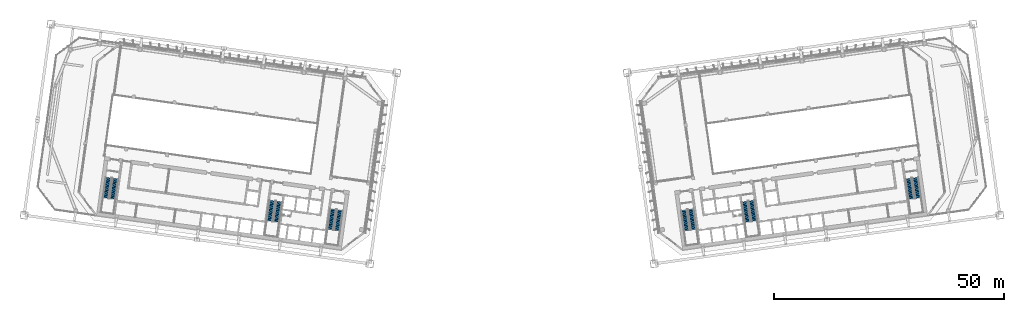
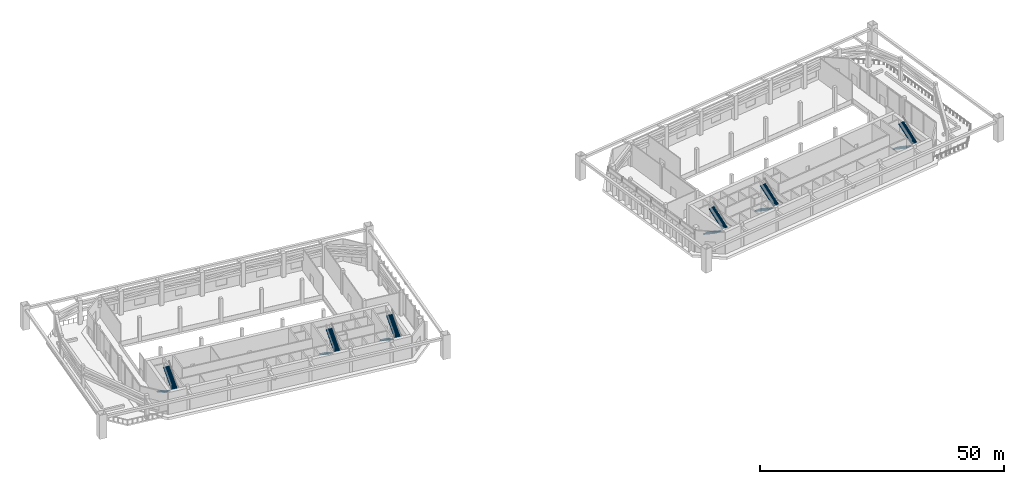
# One storey, part 26 of 41: 12 stair flights, 6 elements without a shape of their own.
"""IFC4 building model written with IfcOpenShell, lengths in metres."""

from ifc_helpers import new_model, si_unit, direction, frame, origin, place, context, subcontext, project, spatial, polyline, outline, extrude, material, type_object, element, aggregate, save


model = new_model("IFC4")

# Units and contexts
model_context = context("Model", 3, precision=1e-05, world=origin(), true_north=direction((0.0, 1.0)))
body_context = subcontext(model_context, "Body", "Model", "MODEL_VIEW")
ifc_project = project(units=[si_unit("LENGTHUNIT", "METRE"), si_unit("AREAUNIT", "SQUARE_METRE"), si_unit("VOLUMEUNIT", "CUBIC_METRE"), si_unit("PLANEANGLEUNIT", "RADIAN"), si_unit("MASSUNIT", "GRAM", prefix="KILO")], contexts=[model_context])

# Site, building, storey
site_placement = place(None, origin())
site = spatial("IfcSite", under=ifc_project, at=site_placement, CompositionType="ELEMENT")
building_placement = place(site_placement, origin())
building = spatial("IfcBuilding", under=site, at=building_placement, Name="Mirante Cascada Hotel Towers", CompositionType="ELEMENT")
storey_placement = place(building_placement, frame((0.0, 0.0, 92.7)))
storey = spatial("IfcBuildingStorey", under=building, at=storey_placement, Name="L20", CompositionType="ELEMENT", Elevation=92.7)

# Stair, stair flights
ifc_material_1 = material(Name="Concrete C35/45", Category="concrete")
stair_type = type_object("IfcStairType", Name="Exit stair half-turn 1350 concrete C35/45", PredefinedType="HALF_TURN_STAIR", material=ifc_material_1)
stair_1_placement = place(storey_placement, origin())
stair_1 = element("IfcStair", 1, at=stair_1_placement, inside=storey, type_object=stair_type, Name="L20 Exit stair A", PredefinedType="HALF_TURN_STAIR")
ifc_material_2 = material(Name="Concrete C35/45", Category="concrete")
stair_flight_type = type_object("IfcStairFlightType", Name="Exit stair flight 1350 concrete C35/45", PredefinedType="STRAIGHT", material=ifc_material_2)
stair_flight_1_placement = place(storey_placement, frame((-38.9417, -11.195, 0.0), z_axis=(0.0, 0.0, 1.0), x_axis=(-0.1391731, -0.9902681, 0.0)))
stair_flight_1 = element("IfcStairFlight", 2, at=stair_flight_1_placement, type_object=stair_flight_type, Name="ST1-A flight 1", NumberOfRisers=17, NumberOfTreads=16, PredefinedType="STRAIGHT", RiserHeight=0.176470588, TreadLength=0.28, context=body_context, shape_type="SweptSolid", body=[
    extrude(outline(polyline([(0.0, 0.0), (0.0, 0.1765), (0.28, 0.1765), (0.28, 0.3529), (0.56, 0.3529), (0.56, 0.5294), (0.84, 0.5294), (0.84, 0.7059), (1.12, 0.7059), (1.12, 0.8824), (1.4, 0.8824), (1.4, 1.0588), (1.68, 1.0588), (1.68, 1.2353), (1.96, 1.2353), (1.96, 1.4118), (2.24, 1.4118), (2.24, 1.5882), (2.52, 1.5882), (2.52, 1.7647), (2.8, 1.7647), (2.8, 1.9412), (3.08, 1.9412), (3.08, 2.1176), (3.36, 2.1176), (3.36, 2.2941), (3.64, 2.2941), (3.64, 2.4706), (3.92, 2.4706), (3.92, 2.6471), (4.2, 2.6471), (4.2, 2.8235), (4.48, 2.8235), (4.48, 3.0), (4.48, 2.6462), (0.2813, 0.0), (0.0, 0.0)])), frame((0.0, 0.675, 0.0), z_axis=(0.0, -1.0, 0.0), x_axis=(1.0, 0.0, 0.0)), (0.0, 0.0, 1.0), 1.35),
])
stair_flight_2_placement = place(storey_placement, frame((-38.0798, -15.8402, 3.0), z_axis=(0.0, 0.0, 1.0), x_axis=(0.1391731, 0.9902681, 0.0)))
stair_flight_2 = element("IfcStairFlight", 3, at=stair_flight_2_placement, type_object=stair_flight_type, Name="ST1-A flight 2", NumberOfRisers=17, NumberOfTreads=16, PredefinedType="STRAIGHT", RiserHeight=0.176470588, TreadLength=0.28, context=body_context, shape_type="SweptSolid", body=[
    extrude(outline(polyline([(0.0, 0.0), (0.0, 0.1765), (0.28, 0.1765), (0.28, 0.3529), (0.56, 0.3529), (0.56, 0.5294), (0.84, 0.5294), (0.84, 0.7059), (1.12, 0.7059), (1.12, 0.8824), (1.4, 0.8824), (1.4, 1.0588), (1.68, 1.0588), (1.68, 1.2353), (1.96, 1.2353), (1.96, 1.4118), (2.24, 1.4118), (2.24, 1.5882), (2.52, 1.5882), (2.52, 1.7647), (2.8, 1.7647), (2.8, 1.9412), (3.08, 1.9412), (3.08, 2.1176), (3.36, 2.1176), (3.36, 2.2941), (3.64, 2.2941), (3.64, 2.4706), (3.92, 2.4706), (3.92, 2.6471), (4.2, 2.6471), (4.2, 2.8235), (4.48, 2.8235), (4.48, 3.0), (4.48, 2.6462), (0.2813, 0.0), (0.0, 0.0)])), frame((0.0, 0.675, 0.0), z_axis=(0.0, -1.0, 0.0), x_axis=(1.0, 0.0, 0.0)), (0.0, 0.0, 1.0), 1.35),
])
aggregate(stair_1, [stair_flight_1, stair_flight_2])

stair_2_placement = place(storey_placement, origin())
stair_2 = element("IfcStair", 4, at=stair_2_placement, inside=storey, type_object=stair_type, Name="L20 Exit stair B", PredefinedType="HALF_TURN_STAIR")
stair_flight_3_placement = place(storey_placement, frame((-52.1618, -9.3371, 0.0), z_axis=(0.0, 0.0, 1.0), x_axis=(-0.1391731, -0.9902681, 0.0)))
stair_flight_3 = element("IfcStairFlight", 5, at=stair_flight_3_placement, type_object=stair_flight_type, Name="ST1-B flight 1", NumberOfRisers=17, NumberOfTreads=16, PredefinedType="STRAIGHT", RiserHeight=0.176470588, TreadLength=0.28, context=body_context, shape_type="SweptSolid", body=[
    extrude(outline(polyline([(0.0, 0.0), (0.0, 0.1765), (0.28, 0.1765), (0.28, 0.3529), (0.56, 0.3529), (0.56, 0.5294), (0.84, 0.5294), (0.84, 0.7059), (1.12, 0.7059), (1.12, 0.8824), (1.4, 0.8824), (1.4, 1.0588), (1.68, 1.0588), (1.68, 1.2353), (1.96, 1.2353), (1.96, 1.4118), (2.24, 1.4118), (2.24, 1.5882), (2.52, 1.5882), (2.52, 1.7647), (2.8, 1.7647), (2.8, 1.9412), (3.08, 1.9412), (3.08, 2.1176), (3.36, 2.1176), (3.36, 2.2941), (3.64, 2.2941), (3.64, 2.4706), (3.92, 2.4706), (3.92, 2.6471), (4.2, 2.6471), (4.2, 2.8235), (4.48, 2.8235), (4.48, 3.0), (4.48, 2.6462), (0.2813, 0.0), (0.0, 0.0)])), frame((0.0, 0.675, 0.0), z_axis=(0.0, -1.0, 0.0), x_axis=(1.0, 0.0, 0.0)), (0.0, 0.0, 1.0), 1.35),
])
stair_flight_4_placement = place(storey_placement, frame((-51.2999, -13.9822, 3.0), z_axis=(0.0, 0.0, 1.0), x_axis=(0.1391731, 0.9902681, 0.0)))
stair_flight_4 = element("IfcStairFlight", 6, at=stair_flight_4_placement, type_object=stair_flight_type, Name="ST1-B flight 2", NumberOfRisers=17, NumberOfTreads=16, PredefinedType="STRAIGHT", RiserHeight=0.176470588, TreadLength=0.28, context=body_context, shape_type="SweptSolid", body=[
    extrude(outline(polyline([(0.0, 0.0), (0.0, 0.1765), (0.28, 0.1765), (0.28, 0.3529), (0.56, 0.3529), (0.56, 0.5294), (0.84, 0.5294), (0.84, 0.7059), (1.12, 0.7059), (1.12, 0.8824), (1.4, 0.8824), (1.4, 1.0588), (1.68, 1.0588), (1.68, 1.2353), (1.96, 1.2353), (1.96, 1.4118), (2.24, 1.4118), (2.24, 1.5882), (2.52, 1.5882), (2.52, 1.7647), (2.8, 1.7647), (2.8, 1.9412), (3.08, 1.9412), (3.08, 2.1176), (3.36, 2.1176), (3.36, 2.2941), (3.64, 2.2941), (3.64, 2.4706), (3.92, 2.4706), (3.92, 2.6471), (4.2, 2.6471), (4.2, 2.8235), (4.48, 2.8235), (4.48, 3.0), (4.48, 2.6462), (0.2813, 0.0), (0.0, 0.0)])), frame((0.0, 0.675, 0.0), z_axis=(0.0, -1.0, 0.0), x_axis=(1.0, 0.0, 0.0)), (0.0, 0.0, 1.0), 1.35),
])
aggregate(stair_2, [stair_flight_3, stair_flight_4])

stair_3_placement = place(storey_placement, origin())
stair_3 = element("IfcStair", 7, at=stair_3_placement, inside=storey, type_object=stair_type, Name="L20 Exit stair C", PredefinedType="HALF_TURN_STAIR")
stair_flight_5_placement = place(storey_placement, frame((-87.8115, -4.3268, 0.0), z_axis=(0.0, 0.0, 1.0), x_axis=(-0.1391731, -0.9902681, 0.0)))
stair_flight_5 = element("IfcStairFlight", 8, at=stair_flight_5_placement, type_object=stair_flight_type, Name="ST1-C flight 1", NumberOfRisers=17, NumberOfTreads=16, PredefinedType="STRAIGHT", RiserHeight=0.176470588, TreadLength=0.28, context=body_context, shape_type="SweptSolid", body=[
    extrude(outline(polyline([(0.0, 0.0), (0.0, 0.1765), (0.28, 0.1765), (0.28, 0.3529), (0.56, 0.3529), (0.56, 0.5294), (0.84, 0.5294), (0.84, 0.7059), (1.12, 0.7059), (1.12, 0.8824), (1.4, 0.8824), (1.4, 1.0588), (1.68, 1.0588), (1.68, 1.2353), (1.96, 1.2353), (1.96, 1.4118), (2.24, 1.4118), (2.24, 1.5882), (2.52, 1.5882), (2.52, 1.7647), (2.8, 1.7647), (2.8, 1.9412), (3.08, 1.9412), (3.08, 2.1176), (3.36, 2.1176), (3.36, 2.2941), (3.64, 2.2941), (3.64, 2.4706), (3.92, 2.4706), (3.92, 2.6471), (4.2, 2.6471), (4.2, 2.8235), (4.48, 2.8235), (4.48, 3.0), (4.48, 2.6462), (0.2813, 0.0), (0.0, 0.0)])), frame((0.0, 0.675, 0.0), z_axis=(0.0, -1.0, 0.0), x_axis=(1.0, 0.0, 0.0)), (0.0, 0.0, 1.0), 1.35),
])
stair_flight_6_placement = place(storey_placement, frame((-86.9495, -8.972, 3.0), z_axis=(0.0, 0.0, 1.0), x_axis=(0.1391731, 0.9902681, 0.0)))
stair_flight_6 = element("IfcStairFlight", 9, at=stair_flight_6_placement, type_object=stair_flight_type, Name="ST1-C flight 2", NumberOfRisers=17, NumberOfTreads=16, PredefinedType="STRAIGHT", RiserHeight=0.176470588, TreadLength=0.28, context=body_context, shape_type="SweptSolid", body=[
    extrude(outline(polyline([(0.0, 0.0), (0.0, 0.1765), (0.28, 0.1765), (0.28, 0.3529), (0.56, 0.3529), (0.56, 0.5294), (0.84, 0.5294), (0.84, 0.7059), (1.12, 0.7059), (1.12, 0.8824), (1.4, 0.8824), (1.4, 1.0588), (1.68, 1.0588), (1.68, 1.2353), (1.96, 1.2353), (1.96, 1.4118), (2.24, 1.4118), (2.24, 1.5882), (2.52, 1.5882), (2.52, 1.7647), (2.8, 1.7647), (2.8, 1.9412), (3.08, 1.9412), (3.08, 2.1176), (3.36, 2.1176), (3.36, 2.2941), (3.64, 2.2941), (3.64, 2.4706), (3.92, 2.4706), (3.92, 2.6471), (4.2, 2.6471), (4.2, 2.8235), (4.48, 2.8235), (4.48, 3.0), (4.48, 2.6462), (0.2813, 0.0), (0.0, 0.0)])), frame((0.0, 0.675, 0.0), z_axis=(0.0, -1.0, 0.0), x_axis=(1.0, 0.0, 0.0)), (0.0, 0.0, 1.0), 1.35),
])
aggregate(stair_3, [stair_flight_5, stair_flight_6])

stair_4_placement = place(storey_placement, origin())
stair_4 = element("IfcStair", 10, at=stair_4_placement, inside=storey, type_object=stair_type, Name="L20 Exit stair A", PredefinedType="HALF_TURN_STAIR")
stair_flight_7_placement = place(storey_placement, frame((37.4563, -11.4038, 0.0), z_axis=(0.0, 0.0, 1.0), x_axis=(0.1391731, -0.9902681, 0.0)))
stair_flight_7 = element("IfcStairFlight", 11, at=stair_flight_7_placement, type_object=stair_flight_type, Name="ST2-A flight 1", NumberOfRisers=17, NumberOfTreads=16, PredefinedType="STRAIGHT", RiserHeight=0.176470588, TreadLength=0.28, context=body_context, shape_type="SweptSolid", body=[
    extrude(outline(polyline([(0.0, 0.0), (0.0, 0.1765), (0.28, 0.1765), (0.28, 0.3529), (0.56, 0.3529), (0.56, 0.5294), (0.84, 0.5294), (0.84, 0.7059), (1.12, 0.7059), (1.12, 0.8824), (1.4, 0.8824), (1.4, 1.0588), (1.68, 1.0588), (1.68, 1.2353), (1.96, 1.2353), (1.96, 1.4118), (2.24, 1.4118), (2.24, 1.5882), (2.52, 1.5882), (2.52, 1.7647), (2.8, 1.7647), (2.8, 1.9412), (3.08, 1.9412), (3.08, 2.1176), (3.36, 2.1176), (3.36, 2.2941), (3.64, 2.2941), (3.64, 2.4706), (3.92, 2.4706), (3.92, 2.6471), (4.2, 2.6471), (4.2, 2.8235), (4.48, 2.8235), (4.48, 3.0), (4.48, 2.6462), (0.2813, 0.0), (0.0, 0.0)])), frame((0.0, 0.675, 0.0), z_axis=(0.0, -1.0, 0.0), x_axis=(1.0, 0.0, 0.0)), (0.0, 0.0, 1.0), 1.35),
])
stair_flight_8_placement = place(storey_placement, frame((39.5652, -15.6314, 3.0), z_axis=(0.0, 0.0, 1.0), x_axis=(-0.1391731, 0.9902681, 0.0)))
stair_flight_8 = element("IfcStairFlight", 12, at=stair_flight_8_placement, type_object=stair_flight_type, Name="ST2-A flight 2", NumberOfRisers=17, NumberOfTreads=16, PredefinedType="STRAIGHT", RiserHeight=0.176470588, TreadLength=0.28, context=body_context, shape_type="SweptSolid", body=[
    extrude(outline(polyline([(0.0, 0.0), (0.0, 0.1765), (0.28, 0.1765), (0.28, 0.3529), (0.56, 0.3529), (0.56, 0.5294), (0.84, 0.5294), (0.84, 0.7059), (1.12, 0.7059), (1.12, 0.8824), (1.4, 0.8824), (1.4, 1.0588), (1.68, 1.0588), (1.68, 1.2353), (1.96, 1.2353), (1.96, 1.4118), (2.24, 1.4118), (2.24, 1.5882), (2.52, 1.5882), (2.52, 1.7647), (2.8, 1.7647), (2.8, 1.9412), (3.08, 1.9412), (3.08, 2.1176), (3.36, 2.1176), (3.36, 2.2941), (3.64, 2.2941), (3.64, 2.4706), (3.92, 2.4706), (3.92, 2.6471), (4.2, 2.6471), (4.2, 2.8235), (4.48, 2.8235), (4.48, 3.0), (4.48, 2.6462), (0.2813, 0.0), (0.0, 0.0)])), frame((0.0, 0.675, 0.0), z_axis=(0.0, -1.0, 0.0), x_axis=(1.0, 0.0, 0.0)), (0.0, 0.0, 1.0), 1.35),
])
aggregate(stair_4, [stair_flight_7, stair_flight_8])

stair_5_placement = place(storey_placement, origin())
stair_5 = element("IfcStair", 13, at=stair_5_placement, inside=storey, type_object=stair_type, Name="L20 Exit stair B", PredefinedType="HALF_TURN_STAIR")
stair_flight_9_placement = place(storey_placement, frame((50.6764, -9.5458, 0.0), z_axis=(0.0, 0.0, 1.0), x_axis=(0.1391731, -0.9902681, 0.0)))
stair_flight_9 = element("IfcStairFlight", 14, at=stair_flight_9_placement, type_object=stair_flight_type, Name="ST2-B flight 1", NumberOfRisers=17, NumberOfTreads=16, PredefinedType="STRAIGHT", RiserHeight=0.176470588, TreadLength=0.28, context=body_context, shape_type="SweptSolid", body=[
    extrude(outline(polyline([(0.0, 0.0), (0.0, 0.1765), (0.28, 0.1765), (0.28, 0.3529), (0.56, 0.3529), (0.56, 0.5294), (0.84, 0.5294), (0.84, 0.7059), (1.12, 0.7059), (1.12, 0.8824), (1.4, 0.8824), (1.4, 1.0588), (1.68, 1.0588), (1.68, 1.2353), (1.96, 1.2353), (1.96, 1.4118), (2.24, 1.4118), (2.24, 1.5882), (2.52, 1.5882), (2.52, 1.7647), (2.8, 1.7647), (2.8, 1.9412), (3.08, 1.9412), (3.08, 2.1176), (3.36, 2.1176), (3.36, 2.2941), (3.64, 2.2941), (3.64, 2.4706), (3.92, 2.4706), (3.92, 2.6471), (4.2, 2.6471), (4.2, 2.8235), (4.48, 2.8235), (4.48, 3.0), (4.48, 2.6462), (0.2813, 0.0), (0.0, 0.0)])), frame((0.0, 0.675, 0.0), z_axis=(0.0, -1.0, 0.0), x_axis=(1.0, 0.0, 0.0)), (0.0, 0.0, 1.0), 1.35),
])
stair_flight_10_placement = place(storey_placement, frame((52.7853, -13.7735, 3.0), z_axis=(0.0, 0.0, 1.0), x_axis=(-0.1391731, 0.9902681, 0.0)))
stair_flight_10 = element("IfcStairFlight", 15, at=stair_flight_10_placement, type_object=stair_flight_type, Name="ST2-B flight 2", NumberOfRisers=17, NumberOfTreads=16, PredefinedType="STRAIGHT", RiserHeight=0.176470588, TreadLength=0.28, context=body_context, shape_type="SweptSolid", body=[
    extrude(outline(polyline([(0.0, 0.0), (0.0, 0.1765), (0.28, 0.1765), (0.28, 0.3529), (0.56, 0.3529), (0.56, 0.5294), (0.84, 0.5294), (0.84, 0.7059), (1.12, 0.7059), (1.12, 0.8824), (1.4, 0.8824), (1.4, 1.0588), (1.68, 1.0588), (1.68, 1.2353), (1.96, 1.2353), (1.96, 1.4118), (2.24, 1.4118), (2.24, 1.5882), (2.52, 1.5882), (2.52, 1.7647), (2.8, 1.7647), (2.8, 1.9412), (3.08, 1.9412), (3.08, 2.1176), (3.36, 2.1176), (3.36, 2.2941), (3.64, 2.2941), (3.64, 2.4706), (3.92, 2.4706), (3.92, 2.6471), (4.2, 2.6471), (4.2, 2.8235), (4.48, 2.8235), (4.48, 3.0), (4.48, 2.6462), (0.2813, 0.0), (0.0, 0.0)])), frame((0.0, 0.675, 0.0), z_axis=(0.0, -1.0, 0.0), x_axis=(1.0, 0.0, 0.0)), (0.0, 0.0, 1.0), 1.35),
])
aggregate(stair_5, [stair_flight_9, stair_flight_10])

stair_6_placement = place(storey_placement, origin())
stair_6 = element("IfcStair", 16, at=stair_6_placement, inside=storey, type_object=stair_type, Name="L20 Exit stair C", PredefinedType="HALF_TURN_STAIR")
stair_flight_11_placement = place(storey_placement, frame((86.326, -4.5356, 0.0), z_axis=(0.0, 0.0, 1.0), x_axis=(0.1391731, -0.9902681, 0.0)))
stair_flight_11 = element("IfcStairFlight", 17, at=stair_flight_11_placement, type_object=stair_flight_type, Name="ST2-C flight 1", NumberOfRisers=17, NumberOfTreads=16, PredefinedType="STRAIGHT", RiserHeight=0.176470588, TreadLength=0.28, context=body_context, shape_type="SweptSolid", body=[
    extrude(outline(polyline([(0.0, 0.0), (0.0, 0.1765), (0.28, 0.1765), (0.28, 0.3529), (0.56, 0.3529), (0.56, 0.5294), (0.84, 0.5294), (0.84, 0.7059), (1.12, 0.7059), (1.12, 0.8824), (1.4, 0.8824), (1.4, 1.0588), (1.68, 1.0588), (1.68, 1.2353), (1.96, 1.2353), (1.96, 1.4118), (2.24, 1.4118), (2.24, 1.5882), (2.52, 1.5882), (2.52, 1.7647), (2.8, 1.7647), (2.8, 1.9412), (3.08, 1.9412), (3.08, 2.1176), (3.36, 2.1176), (3.36, 2.2941), (3.64, 2.2941), (3.64, 2.4706), (3.92, 2.4706), (3.92, 2.6471), (4.2, 2.6471), (4.2, 2.8235), (4.48, 2.8235), (4.48, 3.0), (4.48, 2.6462), (0.2813, 0.0), (0.0, 0.0)])), frame((0.0, 0.675, 0.0), z_axis=(0.0, -1.0, 0.0), x_axis=(1.0, 0.0, 0.0)), (0.0, 0.0, 1.0), 1.35),
])
stair_flight_12_placement = place(storey_placement, frame((88.4349, -8.7632, 3.0), z_axis=(0.0, 0.0, 1.0), x_axis=(-0.1391731, 0.9902681, 0.0)))
stair_flight_12 = element("IfcStairFlight", 18, at=stair_flight_12_placement, type_object=stair_flight_type, Name="ST2-C flight 2", NumberOfRisers=17, NumberOfTreads=16, PredefinedType="STRAIGHT", RiserHeight=0.176470588, TreadLength=0.28, context=body_context, shape_type="SweptSolid", body=[
    extrude(outline(polyline([(0.0, 0.0), (0.0, 0.1765), (0.28, 0.1765), (0.28, 0.3529), (0.56, 0.3529), (0.56, 0.5294), (0.84, 0.5294), (0.84, 0.7059), (1.12, 0.7059), (1.12, 0.8824), (1.4, 0.8824), (1.4, 1.0588), (1.68, 1.0588), (1.68, 1.2353), (1.96, 1.2353), (1.96, 1.4118), (2.24, 1.4118), (2.24, 1.5882), (2.52, 1.5882), (2.52, 1.7647), (2.8, 1.7647), (2.8, 1.9412), (3.08, 1.9412), (3.08, 2.1176), (3.36, 2.1176), (3.36, 2.2941), (3.64, 2.2941), (3.64, 2.4706), (3.92, 2.4706), (3.92, 2.6471), (4.2, 2.6471), (4.2, 2.8235), (4.48, 2.8235), (4.48, 3.0), (4.48, 2.6462), (0.2813, 0.0), (0.0, 0.0)])), frame((0.0, 0.675, 0.0), z_axis=(0.0, -1.0, 0.0), x_axis=(1.0, 0.0, 0.0)), (0.0, 0.0, 1.0), 1.35),
])
aggregate(stair_6, [stair_flight_11, stair_flight_12])

save(model, "model.ifc")
